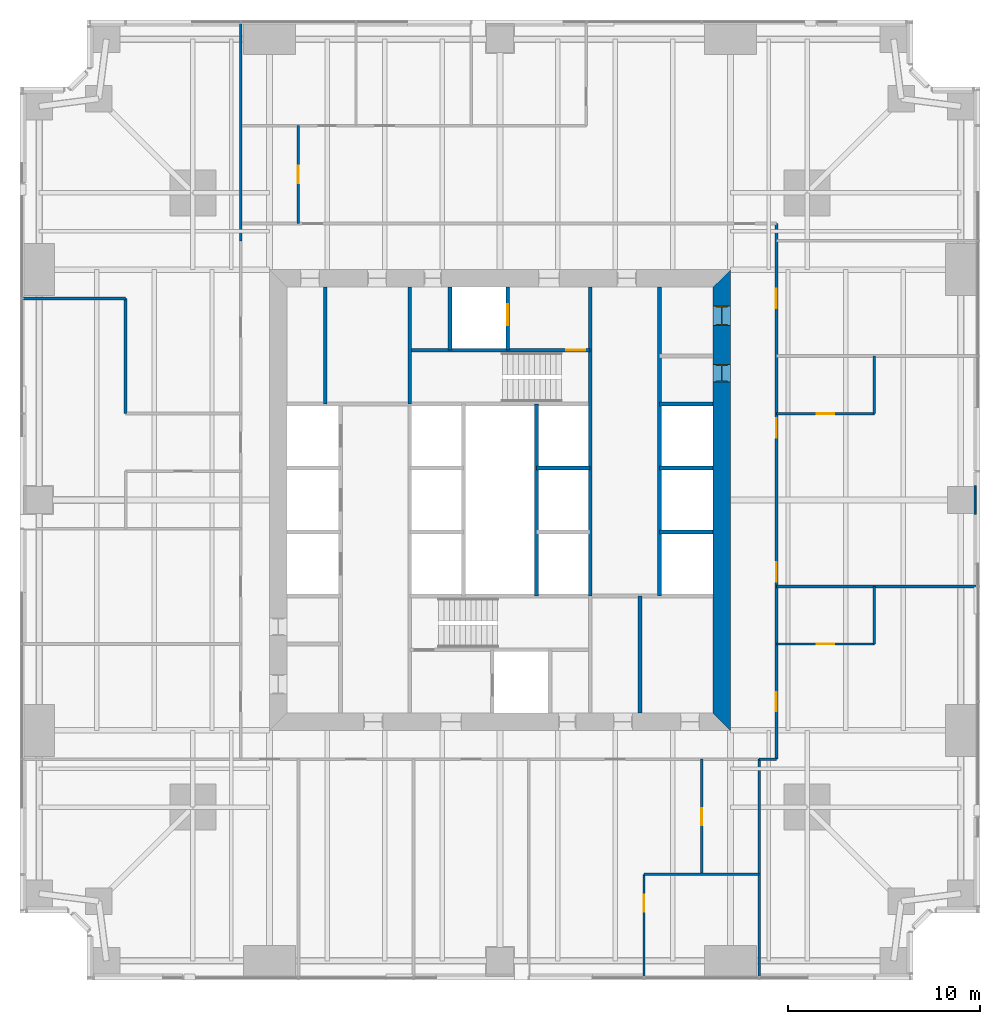
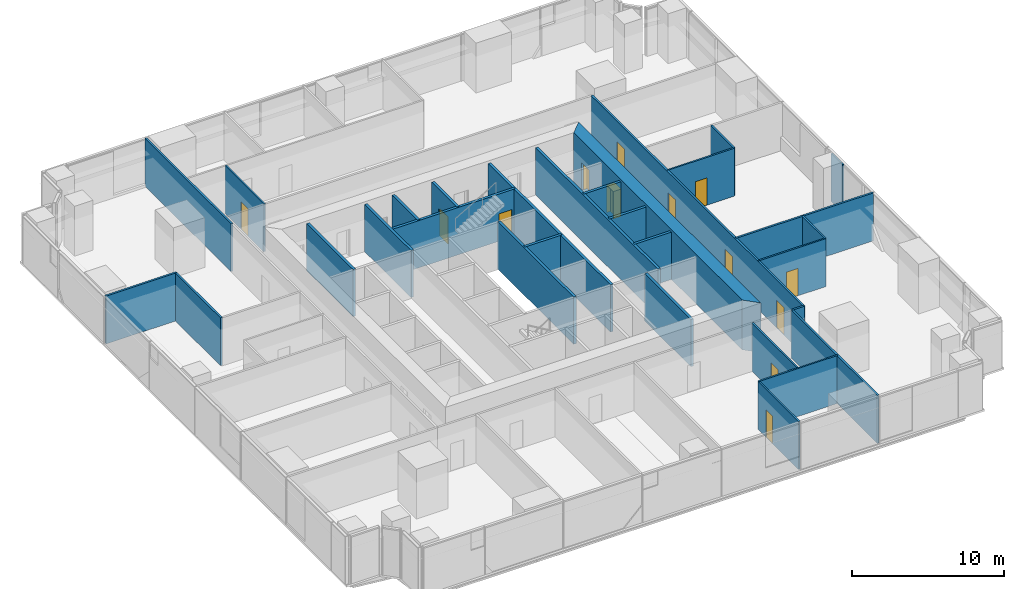
# One storey, part 10 of 13: 30 walls, 13 doors, 13 openings.
"""IFC4 building model written with IfcOpenShell, lengths in metres."""

from ifc_helpers import new_model, si_unit, direction, frame, frame_2d, origin, place, context, subcontext, project, spatial, polyline, rectangle, outline, extrude, material, layer, layer_set, type_object, element, fill, save


model = new_model("IFC4")

# Units and contexts
model_context = context("Model", 3, precision=1e-05, world=origin(), true_north=direction((0.0, 1.0)))
body_context = subcontext(model_context, "Body", "Model", "MODEL_VIEW")
ifc_project = project(units=[si_unit("LENGTHUNIT", "METRE"), si_unit("AREAUNIT", "SQUARE_METRE"), si_unit("VOLUMEUNIT", "CUBIC_METRE"), si_unit("PLANEANGLEUNIT", "RADIAN"), si_unit("MASSUNIT", "GRAM", prefix="KILO")], contexts=[model_context])

# Site, building, storey
site_placement = place(None, origin())
site = spatial("IfcSite", under=ifc_project, at=site_placement, CompositionType="ELEMENT")
building_placement = place(site_placement, origin())
building = spatial("IfcBuilding", under=site, at=building_placement, Name="Fenwick Lantern Interchange", CompositionType="ELEMENT")
storey_placement = place(building_placement, frame((0.0, 0.0, 63.0)))
storey = spatial("IfcBuildingStorey", under=building, at=storey_placement, Name="L14", CompositionType="ELEMENT", Elevation=63.0)

# Walls
ifc_material_1 = material(Name="Fire-rated gypsum board encasement on steel studs, 2 hour", Category="steel")
ifc_layer_1 = layer(ifc_material_1, 1.5)
ifc_layer_set_1 = layer_set([ifc_layer_1], Name="COLUMN PIER 1500")
wall_type_1 = type_object("IfcWallType", Name="COLUMN PIER 1500", PredefinedType="PARTITIONING", material=ifc_layer_set_1)
wall_1_placement = place(storey_placement, frame((49.800048828125, 25.0, 0.0), z_axis=(0.0, 0.0, 1.0), x_axis=(-1.0, 0.0, 0.0)))
element("IfcWall", 1, at=wall_1_placement, inside=storey, type_object=wall_type_1, Name="L14/W/PIER/CE3", PredefinedType="PARTITIONING", context=body_context, shape_type="SweptSolid", body=[
    extrude(rectangle(XDim=0.10009765625, YDim=1.5, at=frame_2d((0.050048828125, 0.0))), origin(), (0.0, 0.0, 1.0), 3.85009765625),
])
ifc_material_2 = material(Name="Concrete masonry ASTM C90 Grade N", Category="masonry")
ifc_layer_2 = layer(ifc_material_2, 0.199951171875)
ifc_layer_set_2 = layer_set([ifc_layer_2], Name="Concrete masonry ASTM C90 Grade N")
wall_type_2 = type_object("IfcWallType", Name="CORE PARTITION 200", PredefinedType="PARTITIONING", material=ifc_layer_set_2)
wall_2_placement = place(storey_placement, frame((32.300048828125, 13.89990234375, 0.0), z_axis=(0.0, 0.0, 1.0), x_axis=(0.0, 1.0, 0.0)))
element("IfcWall", 2, at=wall_2_placement, inside=storey, type_object=wall_type_2, Name="L14/W/CORES/i2", PredefinedType="PARTITIONING", context=body_context, shape_type="SweptSolid", body=[
    extrude(rectangle(XDim=6.10009765625, YDim=0.199951171875, at=frame_2d((3.050048828125, 0.0))), origin(), (0.0, 0.0, 1.0), 3.800048828125),
])
wall_3_placement = place(storey_placement, frame((33.300048828125, 36.10009765625, 0.0), z_axis=(0.0, 0.0, 1.0), x_axis=(0.0, -1.0, 0.0)))
element("IfcWall", 3, at=wall_3_placement, inside=storey, type_object=wall_type_2, Name="L14/W/COREN/a", PredefinedType="PARTITIONING", context=body_context, shape_type="SweptSolid", body=[
    extrude(rectangle(XDim=16.10009765625, YDim=0.199951171875, at=frame_2d((8.050048828125, 0.0))), origin(), (0.0, 0.0, 1.0), 3.800048828125),
])
for number, where, z_axis, x_axis, name in (
    (4, (36.10009765625, 30.0, 0.0), (0.0, 0.0, 1.0), (-1.0, 0.0, 0.0), "L14/W/COREN/c2"),
    (5, (36.10009765625, 26.666748046875, 0.0), (0.0, 0.0, 1.0), (-1.0, 0.0, 0.0), "L14/W/COREN/d1"),
    (6, (36.10009765625, 23.333251953125, 0.0), (0.0, 0.0, 1.0), (-1.0, 0.0, 0.0), "L14/W/COREN/d2"),
    (7, (29.699951171875, 26.666748046875, 0.0), (0.0, 0.0, 1.0), (-1.0, 0.0, 0.0), "L14/W/COREN/e1"),
):
    element("IfcWall", number, at=place(storey_placement, frame(where, z_axis=z_axis, x_axis=x_axis)), inside=storey, type_object=wall_type_2, Name=name, PredefinedType="PARTITIONING", context=body_context, shape_type="SweptSolid", body=[
        extrude(rectangle(XDim=2.800048828125, YDim=0.199951171875, at=frame_2d((1.39990234375, 0.0))), origin(), (0.0, 0.0, 1.0), 3.800048828125),
    ])
wall_4_placement = place(storey_placement, frame((26.89990234375, 30.0, 0.0), z_axis=(0.0, 0.0, 1.0), x_axis=(0.0, -1.0, 0.0)))
element("IfcWall", 8, at=wall_4_placement, inside=storey, type_object=wall_type_2, Name="L14/W/COREN/e3", PredefinedType="PARTITIONING", context=body_context, shape_type="SweptSolid", body=[
    extrude(rectangle(XDim=10.0, YDim=0.199951171875, at=frame_2d((5.0, 0.0))), origin(), (0.0, 0.0, 1.0), 3.800048828125),
])

# Wall, opening, door
wall_5_placement = place(storey_placement, frame((25.39990234375, 36.10009765625, 0.0), z_axis=(0.0, 0.0, 1.0), x_axis=(0.0, -1.0, 0.0)))
wall_5 = element("IfcWall", 9, at=wall_5_placement, inside=storey, type_object=wall_type_2, Name="L14/W/COREN/h1", PredefinedType="PARTITIONING", context=body_context, shape_type="SweptSolid", body=[
    extrude(rectangle(XDim=3.300048828125, YDim=0.199951171875, at=frame_2d((1.64990234375, 0.0))), origin(), (0.0, 0.0, 1.0), 3.800048828125),
])
opening_1_placement = place(wall_5_placement, frame((0.89990234375, 0.0, 0.0)))
opening_1 = element("IfcOpeningElement", 10, at=opening_1_placement, cuts=wall_5, Name="Opening LD-FL2", PredefinedType="OPENING", context=body_context, shape_type="SweptSolid", body=[
    extrude(rectangle(XDim=1.10009765625, YDim=2.199951171875, at=frame_2d((0.550048828125, 1.10009765625))), frame((0.0, 0.10986328125, 0.0), z_axis=(0.0, -1.0, 0.0), x_axis=(1.0, 0.0, 0.0)), (0.0, 0.0, 1.0), 0.219970703125),
])
ifc_material_3 = material(Name="Steel door and frame", Category="steel")
door_type_1 = type_object("IfcDoorType", Name="LIFT LANDING DOOR 1100 X 2200", OperationType="DOUBLE_DOOR_SLIDING", PredefinedType="DOOR", material=ifc_material_3)
door_1_placement = place(opening_1_placement, origin())
door_1 = element("IfcDoor", 11, at=door_1_placement, inside=storey, type_object=door_type_1, Name="Lift landing door FL2", OperationType="DOUBLE_DOOR_SLIDING", OverallHeight=2.199951171875, OverallWidth=1.10009765625, PredefinedType="DOOR", context=body_context, shape_type="SweptSolid", body=[
    extrude(rectangle(XDim=1.10009765625, YDim=2.199951171875, at=frame_2d((0.550048828125, 1.10009765625))), frame((0.0, 0.02490234375, 0.0), z_axis=(0.0, -1.0, 0.0), x_axis=(1.0, 0.0, 0.0)), (0.0, 0.0, 1.0), 0.050048828125),
])
fill(opening_1, door_1)

# Walls
wall_6_placement = place(storey_placement, frame((22.39990234375, 36.10009765625, 0.0), z_axis=(0.0, 0.0, 1.0), x_axis=(0.0, -1.0, 0.0)))
element("IfcWall", 12, at=wall_6_placement, inside=storey, type_object=wall_type_2, Name="L14/W/COREN/h2", PredefinedType="PARTITIONING", context=body_context, shape_type="SweptSolid", body=[
    extrude(rectangle(XDim=3.300048828125, YDim=0.199951171875, at=frame_2d((1.64990234375, 0.0))), origin(), (0.0, 0.0, 1.0), 3.800048828125),
])
wall_7_placement = place(storey_placement, frame((15.89990234375, 36.10009765625, 0.0), z_axis=(0.0, 0.0, 1.0), x_axis=(0.0, -1.0, 0.0)))
element("IfcWall", 13, at=wall_7_placement, inside=storey, type_object=wall_type_2, Name="L14/W/COREN/i2", PredefinedType="PARTITIONING", context=body_context, shape_type="SweptSolid", body=[
    extrude(rectangle(XDim=6.10009765625, YDim=0.199951171875, at=frame_2d((3.050048828125, 0.0))), origin(), (0.0, 0.0, 1.0), 3.800048828125),
])

# Wall, openings, doors
ifc_material_4 = material(Name="Concrete f'c 70 MPa", Category="concrete")
ifc_layer_3 = layer(ifc_material_4, 0.89990234375)
ifc_layer_set_3 = layer_set([ifc_layer_3], Name="CORE WALL 900")
wall_type_3 = type_object("IfcWallType", Name="CORE WALL 900", PredefinedType="SHEAR", material=ifc_layer_set_3)
wall_8_placement = place(storey_placement, frame((36.550048828125, 13.89990234375, 0.0), z_axis=(0.0, 0.0, 1.0), x_axis=(0.0, 1.0, 0.0)))
wall_8 = element("IfcWall", 14, at=wall_8_placement, inside=storey, type_object=wall_type_3, Name="L14/CORE/E", PredefinedType="SHEAR", context=body_context, shape_type="SweptSolid", body=[
    extrude(outline(polyline([(-0.89990234375, -0.449951171875), (23.10009765625, -0.449951171875), (22.199951171875, 0.449951171875), (0.0, 0.449951171875), (-0.89990234375, -0.449951171875)])), origin(), (0.0, 0.0, 1.0), 4.0),
])
opening_2_placement = place(wall_8_placement, frame((20.199951171875, 0.0, 0.0)))
opening_2 = element("IfcOpeningElement", 15, at=opening_2_placement, cuts=wall_8, Name="Opening L14-D015", PredefinedType="OPENING", context=body_context, shape_type="SweptSolid", body=[
    extrude(rectangle(XDim=1.0, YDim=2.199951171875, at=frame_2d((0.5, 1.10009765625))), frame((0.0, 0.4599609375, 0.0), z_axis=(0.0, -1.0, 0.0), x_axis=(1.0, 0.0, 0.0)), (0.0, 0.0, 1.0), 0.919921875),
])
opening_3_placement = place(wall_8_placement, frame((17.25, 0.0, 0.0)))
opening_3 = element("IfcOpeningElement", 16, at=opening_3_placement, cuts=wall_8, Name="Opening L14-D016", PredefinedType="OPENING", context=body_context, shape_type="SweptSolid", body=[
    extrude(rectangle(XDim=0.89990234375, YDim=2.199951171875, at=frame_2d((0.449951171875, 1.10009765625))), frame((0.0, 0.4599609375, 0.0), z_axis=(0.0, -1.0, 0.0), x_axis=(1.0, 0.0, 0.0)), (0.0, 0.0, 1.0), 0.919921875),
])
door_type_2 = type_object("IfcDoorType", Name="SERVICE DOOR 900 X 2200", OperationType="SINGLE_SWING_LEFT", PredefinedType="DOOR", material=ifc_material_3)
door_2_placement = place(opening_3_placement, origin())
door_2 = element("IfcDoor", 17, at=door_2_placement, inside=storey, type_object=door_type_2, Name="Service door", OperationType="SINGLE_SWING_RIGHT", OverallHeight=2.199951171875, OverallWidth=0.89990234375, PredefinedType="DOOR", context=body_context, shape_type="SweptSolid", body=[
    extrude(rectangle(XDim=0.89990234375, YDim=2.199951171875, at=frame_2d((0.449951171875, 1.10009765625))), frame((0.0, 0.02490234375, 0.0), z_axis=(0.0, -1.0, 0.0), x_axis=(1.0, 0.0, 0.0)), (0.0, 0.0, 1.0), 0.050048828125),
    extrude(outline(polyline([(0.0, 0.0), (0.0400390625, 0.0), (0.0400390625, 2.159912109375), (0.85986328125, 2.159912109375), (0.85986328125, 0.0), (0.89990234375, 0.0), (0.89990234375, 2.199951171875), (0.0, 2.199951171875), (0.0, 0.0)])), frame((0.0, 0.300048828125, 0.0), z_axis=(0.0, -1.0, 0.0), x_axis=(1.0, 0.0, 0.0)), (0.0, 0.0, 1.0), 0.60009765625),
])
fill(opening_3, door_2)
ifc_material_5 = material(Name="Hardwood door and steel frame", Category="steel")
door_type_3 = type_object("IfcDoorType", Name="WC DOOR 1000 X 2200", OperationType="SINGLE_SWING_LEFT", PredefinedType="DOOR", material=ifc_material_5)
door_3_placement = place(opening_2_placement, origin())
door_3 = element("IfcDoor", 18, at=door_3_placement, inside=storey, type_object=door_type_3, Name="Wc door", OperationType="SINGLE_SWING_RIGHT", OverallHeight=2.199951171875, OverallWidth=1.0, PredefinedType="DOOR", context=body_context, shape_type="SweptSolid", body=[
    extrude(rectangle(XDim=1.0, YDim=2.199951171875, at=frame_2d((0.5, 1.10009765625))), frame((0.0, 0.02490234375, 0.0), z_axis=(0.0, -1.0, 0.0), x_axis=(1.0, 0.0, 0.0)), (0.0, 0.0, 1.0), 0.050048828125),
    extrude(outline(polyline([(0.0, 0.0), (0.0400390625, 0.0), (0.0400390625, 2.159912109375), (0.9599609375, 2.159912109375), (0.9599609375, 0.0), (1.0, 0.0), (1.0, 2.199951171875), (0.0, 2.199951171875), (0.0, 0.0)])), frame((0.0, 0.300048828125, 0.0), z_axis=(0.0, -1.0, 0.0), x_axis=(1.0, 0.0, 0.0)), (0.0, 0.0, 1.0), 0.60009765625),
])
fill(opening_2, door_3)

# Wall
ifc_material_6 = material(Name="Gypsum board on steel studs, 1 hour", Category="steel")
ifc_layer_4 = layer(ifc_material_6, 0.14990234375)
ifc_layer_set_4 = layer_set([ifc_layer_4], Name="CORRIDOR WALL 150")
wall_type_4 = type_object("IfcWallType", Name="CORRIDOR WALL 150", PredefinedType="PARTITIONING", material=ifc_layer_set_4)
wall_9_placement = place(storey_placement, frame((38.5, 11.5, 0.0), z_axis=(0.0, 0.0, 1.0), x_axis=(1.0, 0.0, 0.0)))
element("IfcWall", 19, at=wall_9_placement, inside=storey, type_object=wall_type_4, Name="L14/W/OFF/E/CWJ", PredefinedType="PARTITIONING", context=body_context, shape_type="SweptSolid", body=[
    extrude(rectangle(XDim=0.89990234375, YDim=0.14990234375, at=frame_2d((0.449951171875, 0.0))), origin(), (0.0, 0.0, 1.0), 3.85009765625),
])

# Wall, openings, doors
wall_10_placement = place(storey_placement, frame((39.39990234375, 11.5, 0.0), z_axis=(0.0, 0.0, 1.0), x_axis=(0.0, 1.0, 0.0)))
wall_10 = element("IfcWall", 20, at=wall_10_placement, inside=storey, type_object=wall_type_4, Name="L14/W/OFF/E/CW2", PredefinedType="PARTITIONING", context=body_context, shape_type="SweptSolid", body=[
    extrude(rectangle(XDim=27.89990234375, YDim=0.14990234375, at=frame_2d((13.949951171875, 0.0))), origin(), (0.0, 0.0, 1.0), 3.85009765625),
])
opening_4_placement = place(wall_10_placement, frame((2.5, 0.0, 0.0)))
opening_4 = element("IfcOpeningElement", 21, at=opening_4_placement, cuts=wall_10, Name="Opening L14-D023", PredefinedType="OPENING", context=body_context, shape_type="SweptSolid", body=[
    extrude(rectangle(XDim=1.0, YDim=2.199951171875, at=frame_2d((0.5, 1.10009765625))), frame((0.0, 0.0849609375, 0.0), z_axis=(0.0, -1.0, 0.0), x_axis=(1.0, 0.0, 0.0)), (0.0, 0.0, 1.0), 0.169921875),
])
opening_5_placement = place(wall_10_placement, frame((9.25, 0.0, 0.0)))
opening_5 = element("IfcOpeningElement", 22, at=opening_5_placement, cuts=wall_10, Name="Opening L14-D025", PredefinedType="OPENING", context=body_context, shape_type="SweptSolid", body=[
    extrude(rectangle(XDim=1.0, YDim=2.199951171875, at=frame_2d((0.5, 1.10009765625))), frame((0.0, 0.0849609375, 0.0), z_axis=(0.0, -1.0, 0.0), x_axis=(1.0, 0.0, 0.0)), (0.0, 0.0, 1.0), 0.169921875),
])
opening_6_placement = place(wall_10_placement, frame((16.75, 0.0, 0.0)))
opening_6 = element("IfcOpeningElement", 23, at=opening_6_placement, cuts=wall_10, Name="Opening L14-D026", PredefinedType="OPENING", context=body_context, shape_type="SweptSolid", body=[
    extrude(rectangle(XDim=1.0, YDim=2.199951171875, at=frame_2d((0.5, 1.10009765625))), frame((0.0, 0.0849609375, 0.0), z_axis=(0.0, -1.0, 0.0), x_axis=(1.0, 0.0, 0.0)), (0.0, 0.0, 1.0), 0.169921875),
])
opening_7_placement = place(wall_10_placement, frame((23.5, 0.0, 0.0)))
opening_7 = element("IfcOpeningElement", 24, at=opening_7_placement, cuts=wall_10, Name="Opening L14-D028", PredefinedType="OPENING", context=body_context, shape_type="SweptSolid", body=[
    extrude(rectangle(XDim=1.0, YDim=2.199951171875, at=frame_2d((0.5, 1.10009765625))), frame((0.0, 0.0849609375, 0.0), z_axis=(0.0, -1.0, 0.0), x_axis=(1.0, 0.0, 0.0)), (0.0, 0.0, 1.0), 0.169921875),
])
door_type_4 = type_object("IfcDoorType", Name="SUITE ENTRANCE DOOR 1000 X 2200", OperationType="SINGLE_SWING_LEFT", PredefinedType="DOOR", material=ifc_material_3)
door_4_placement = place(opening_4_placement, frame((1.0, 0.0, 0.0), z_axis=(0.0, 0.0, 1.0), x_axis=(-1.0, 0.0, 0.0)))
door_4 = element("IfcDoor", 25, at=door_4_placement, inside=storey, type_object=door_type_4, Name="Suite entrance door", OperationType="SINGLE_SWING_LEFT", OverallHeight=2.199951171875, OverallWidth=1.0, PredefinedType="DOOR", context=body_context, shape_type="SweptSolid", body=[
    extrude(rectangle(XDim=1.0, YDim=2.199951171875, at=frame_2d((0.5, 1.10009765625))), frame((0.0, 0.02490234375, 0.0), z_axis=(0.0, -1.0, 0.0), x_axis=(1.0, 0.0, 0.0)), (0.0, 0.0, 1.0), 0.050048828125),
])
fill(opening_4, door_4)
door_5_placement = place(opening_5_placement, origin())
door_5 = element("IfcDoor", 26, at=door_5_placement, inside=storey, type_object=door_type_4, Name="Suite entrance door", OperationType="SINGLE_SWING_LEFT", OverallHeight=2.199951171875, OverallWidth=1.0, PredefinedType="DOOR", context=body_context, shape_type="SweptSolid", body=[
    extrude(rectangle(XDim=1.0, YDim=2.199951171875, at=frame_2d((0.5, 1.10009765625))), frame((0.0, 0.02490234375, 0.0), z_axis=(0.0, -1.0, 0.0), x_axis=(1.0, 0.0, 0.0)), (0.0, 0.0, 1.0), 0.050048828125),
])
fill(opening_5, door_5)
door_6_placement = place(opening_6_placement, origin())
door_6 = element("IfcDoor", 27, at=door_6_placement, inside=storey, type_object=door_type_4, Name="Suite entrance door", OperationType="SINGLE_SWING_RIGHT", OverallHeight=2.199951171875, OverallWidth=1.0, PredefinedType="DOOR", context=body_context, shape_type="SweptSolid", body=[
    extrude(rectangle(XDim=1.0, YDim=2.199951171875, at=frame_2d((0.5, 1.10009765625))), frame((0.0, 0.02490234375, 0.0), z_axis=(0.0, -1.0, 0.0), x_axis=(1.0, 0.0, 0.0)), (0.0, 0.0, 1.0), 0.050048828125),
])
fill(opening_6, door_6)
door_7_placement = place(opening_7_placement, frame((1.0, 0.0, 0.0), z_axis=(0.0, 0.0, 1.0), x_axis=(-1.0, 0.0, 0.0)))
door_7 = element("IfcDoor", 28, at=door_7_placement, inside=storey, type_object=door_type_4, Name="Suite entrance door", OperationType="SINGLE_SWING_RIGHT", OverallHeight=2.199951171875, OverallWidth=1.0, PredefinedType="DOOR", context=body_context, shape_type="SweptSolid", body=[
    extrude(rectangle(XDim=1.0, YDim=2.199951171875, at=frame_2d((0.5, 1.10009765625))), frame((0.0, 0.02490234375, 0.0), z_axis=(0.0, -1.0, 0.0), x_axis=(1.0, 0.0, 0.0)), (0.0, 0.0, 1.0), 0.050048828125),
])
fill(opening_7, door_7)

# Wall, opening, door
ifc_material_7 = material(Name="Gypsum board on steel studs, acoustic", Category="steel")
ifc_layer_5 = layer(ifc_material_7, 0.125)
ifc_layer_set_5 = layer_set([ifc_layer_5], Name="OFFICE PARTITION 125")
wall_type_5 = type_object("IfcWallType", Name="OFFICE PARTITION 125", PredefinedType="PARTITIONING", material=ifc_layer_set_5)
wall_11_placement = place(storey_placement, frame((32.5, 0.14990234375, 0.0), z_axis=(0.0, 0.0, 1.0), x_axis=(0.0, 1.0, 0.0)))
wall_11 = element("IfcWall", 29, at=wall_11_placement, inside=storey, type_object=wall_type_5, Name="L14/W/OFF/S/X325-1", PredefinedType="PARTITIONING", context=body_context, shape_type="SweptSolid", body=[
    extrude(rectangle(XDim=5.35009765625, YDim=0.125, at=frame_2d((2.675048828125, 0.0))), origin(), (0.0, 0.0, 1.0), 3.85009765625),
])
opening_8_placement = place(wall_11_placement, frame((3.39990234375, 0.0, 0.0)))
opening_8 = element("IfcOpeningElement", 30, at=opening_8_placement, cuts=wall_11, Name="Opening L14-D021", PredefinedType="OPENING", context=body_context, shape_type="SweptSolid", body=[
    extrude(rectangle(XDim=0.89990234375, YDim=2.199951171875, at=frame_2d((0.449951171875, 1.10009765625))), frame((0.0, 0.072509765625, 0.0), z_axis=(0.0, -1.0, 0.0), x_axis=(1.0, 0.0, 0.0)), (0.0, 0.0, 1.0), 0.14501953125),
])
door_type_5 = type_object("IfcDoorType", Name="OFFICE DOOR 900 X 2200", OperationType="SINGLE_SWING_LEFT", PredefinedType="DOOR", material=ifc_material_5)
door_8_placement = place(opening_8_placement, frame((0.89990234375, 0.0, 0.0), z_axis=(0.0, 0.0, 1.0), x_axis=(-1.0, 0.0, 0.0)))
door_8 = element("IfcDoor", 31, at=door_8_placement, inside=storey, type_object=door_type_5, Name="Office door", OperationType="SINGLE_SWING_LEFT", OverallHeight=2.199951171875, OverallWidth=0.89990234375, PredefinedType="DOOR", context=body_context, shape_type="SweptSolid", body=[
    extrude(rectangle(XDim=0.89990234375, YDim=2.199951171875, at=frame_2d((0.449951171875, 1.10009765625))), frame((0.0, 0.02490234375, 0.0), z_axis=(0.0, -1.0, 0.0), x_axis=(1.0, 0.0, 0.0)), (0.0, 0.0, 1.0), 0.050048828125),
])
fill(opening_8, door_8)

wall_12_placement = place(storey_placement, frame((35.5, 5.5, 0.0), z_axis=(0.0, 0.0, 1.0), x_axis=(0.0, 1.0, 0.0)))
wall_12 = element("IfcWall", 32, at=wall_12_placement, inside=storey, type_object=wall_type_5, Name="L14/W/OFF/S/X355-1", PredefinedType="PARTITIONING", context=body_context, shape_type="SweptSolid", body=[
    extrude(rectangle(XDim=6.0, YDim=0.125, at=frame_2d((3.0, 0.0))), origin(), (0.0, 0.0, 1.0), 3.85009765625),
])
opening_9_placement = place(wall_12_placement, frame((2.550048828125, 0.0, 0.0)))
opening_9 = element("IfcOpeningElement", 33, at=opening_9_placement, cuts=wall_12, Name="Opening L14-D022", PredefinedType="OPENING", context=body_context, shape_type="SweptSolid", body=[
    extrude(rectangle(XDim=0.89990234375, YDim=2.199951171875, at=frame_2d((0.449951171875, 1.10009765625))), frame((0.0, 0.072509765625, 0.0), z_axis=(0.0, -1.0, 0.0), x_axis=(1.0, 0.0, 0.0)), (0.0, 0.0, 1.0), 0.14501953125),
])
door_9_placement = place(opening_9_placement, frame((0.89990234375, 0.0, 0.0), z_axis=(0.0, 0.0, 1.0), x_axis=(-1.0, 0.0, 0.0)))
door_9 = element("IfcDoor", 34, at=door_9_placement, inside=storey, type_object=door_type_5, Name="Office door", OperationType="SINGLE_SWING_RIGHT", OverallHeight=2.199951171875, OverallWidth=0.89990234375, PredefinedType="DOOR", context=body_context, shape_type="SweptSolid", body=[
    extrude(rectangle(XDim=0.89990234375, YDim=2.199951171875, at=frame_2d((0.449951171875, 1.10009765625))), frame((0.0, 0.02490234375, 0.0), z_axis=(0.0, -1.0, 0.0), x_axis=(1.0, 0.0, 0.0)), (0.0, 0.0, 1.0), 0.050048828125),
])
fill(opening_9, door_9)

# Wall
wall_13_placement = place(storey_placement, frame((32.5, 5.5, 0.0), z_axis=(0.0, 0.0, 1.0), x_axis=(1.0, 0.0, 0.0)))
element("IfcWall", 35, at=wall_13_placement, inside=storey, type_object=wall_type_5, Name="L14/W/OFF/S/Y55-1", PredefinedType="PARTITIONING", context=body_context, shape_type="SweptSolid", body=[
    extrude(rectangle(XDim=6.0, YDim=0.125, at=frame_2d((3.0, 0.0))), origin(), (0.0, 0.0, 1.0), 3.85009765625),
])

# Wall, opening, door
wall_14_placement = place(storey_placement, frame((44.5, 17.5, 0.0), z_axis=(0.0, 0.0, 1.0), x_axis=(-1.0, 0.0, 0.0)))
wall_14 = element("IfcWall", 36, at=wall_14_placement, inside=storey, type_object=wall_type_5, Name="L14/W/OFF/E/X175-1", PredefinedType="PARTITIONING", context=body_context, shape_type="SweptSolid", body=[
    extrude(rectangle(XDim=5.10009765625, YDim=0.125, at=frame_2d((2.550048828125, 0.0))), origin(), (0.0, 0.0, 1.0), 3.85009765625),
])
opening_10_placement = place(wall_14_placement, frame((2.10009765625, 0.0, 0.0)))
opening_10 = element("IfcOpeningElement", 37, at=opening_10_placement, cuts=wall_14, Name="Opening L14-D024", PredefinedType="OPENING", context=body_context, shape_type="SweptSolid", body=[
    extrude(rectangle(XDim=0.89990234375, YDim=2.199951171875, at=frame_2d((0.449951171875, 1.10009765625))), frame((0.0, 0.072509765625, 0.0), z_axis=(0.0, -1.0, 0.0), x_axis=(1.0, 0.0, 0.0)), (0.0, 0.0, 1.0), 0.14501953125),
])
door_10_placement = place(opening_10_placement, frame((0.89990234375, 0.0, 0.0), z_axis=(0.0, 0.0, 1.0), x_axis=(-1.0, 0.0, 0.0)))
door_10 = element("IfcDoor", 38, at=door_10_placement, inside=storey, type_object=door_type_5, Name="Office door", OperationType="SINGLE_SWING_RIGHT", OverallHeight=2.199951171875, OverallWidth=0.89990234375, PredefinedType="DOOR", context=body_context, shape_type="SweptSolid", body=[
    extrude(rectangle(XDim=0.89990234375, YDim=2.199951171875, at=frame_2d((0.449951171875, 1.10009765625))), frame((0.0, 0.02490234375, 0.0), z_axis=(0.0, -1.0, 0.0), x_axis=(1.0, 0.0, 0.0)), (0.0, 0.0, 1.0), 0.050048828125),
])
fill(opening_10, door_10)

wall_15_placement = place(storey_placement, frame((44.5, 29.5, 0.0), z_axis=(0.0, 0.0, 1.0), x_axis=(-1.0, 0.0, 0.0)))
wall_15 = element("IfcWall", 39, at=wall_15_placement, inside=storey, type_object=wall_type_5, Name="L14/W/OFF/E/X295-1", PredefinedType="PARTITIONING", context=body_context, shape_type="SweptSolid", body=[
    extrude(rectangle(XDim=5.10009765625, YDim=0.125, at=frame_2d((2.550048828125, 0.0))), origin(), (0.0, 0.0, 1.0), 3.85009765625),
])
opening_11_placement = place(wall_15_placement, frame((2.10009765625, 0.0, 0.0)))
opening_11 = element("IfcOpeningElement", 40, at=opening_11_placement, cuts=wall_15, Name="Opening L14-D027", PredefinedType="OPENING", context=body_context, shape_type="SweptSolid", body=[
    extrude(rectangle(XDim=0.89990234375, YDim=2.199951171875, at=frame_2d((0.449951171875, 1.10009765625))), frame((0.0, 0.072509765625, 0.0), z_axis=(0.0, -1.0, 0.0), x_axis=(1.0, 0.0, 0.0)), (0.0, 0.0, 1.0), 0.14501953125),
])
door_11_placement = place(opening_11_placement, frame((0.89990234375, 0.0, 0.0), z_axis=(0.0, 0.0, 1.0), x_axis=(-1.0, 0.0, 0.0)))
door_11 = element("IfcDoor", 41, at=door_11_placement, inside=storey, type_object=door_type_5, Name="Office door", OperationType="SINGLE_SWING_RIGHT", OverallHeight=2.199951171875, OverallWidth=0.89990234375, PredefinedType="DOOR", context=body_context, shape_type="SweptSolid", body=[
    extrude(rectangle(XDim=0.89990234375, YDim=2.199951171875, at=frame_2d((0.449951171875, 1.10009765625))), frame((0.0, 0.02490234375, 0.0), z_axis=(0.0, -1.0, 0.0), x_axis=(1.0, 0.0, 0.0)), (0.0, 0.0, 1.0), 0.050048828125),
])
fill(opening_11, door_11)

# Walls
for number, where, z_axis, x_axis, name in (
    (42, (44.5, 17.5, 0.0), (0.0, 0.0, 1.0), (0.0, 1.0, 0.0), "L14/W/OFF/E/Y55-1"),
    (43, (44.5, 29.5, 0.0), (0.0, 0.0, 1.0), (0.0, 1.0, 0.0), "L14/W/OFF/E/Y55-2"),
):
    element("IfcWall", number, at=place(storey_placement, frame(where, z_axis=z_axis, x_axis=x_axis)), inside=storey, type_object=wall_type_5, Name=name, PredefinedType="PARTITIONING", context=body_context, shape_type="SweptSolid", body=[
        extrude(rectangle(XDim=3.0, YDim=0.125, at=frame_2d((1.5, 0.0))), origin(), (0.0, 0.0, 1.0), 3.85009765625),
    ])

# Wall, opening, door
wall_16_placement = place(storey_placement, frame((14.5, 44.5, 0.0), z_axis=(0.0, 0.0, 1.0), x_axis=(0.0, -1.0, 0.0)))
wall_16 = element("IfcWall", 44, at=wall_16_placement, inside=storey, type_object=wall_type_5, Name="L14/W/OFF/N/X355-1", PredefinedType="PARTITIONING", context=body_context, shape_type="SweptSolid", body=[
    extrude(rectangle(XDim=5.10009765625, YDim=0.125, at=frame_2d((2.550048828125, 0.0))), origin(), (0.0, 0.0, 1.0), 3.85009765625),
])
opening_12_placement = place(wall_16_placement, frame((2.10009765625, 0.0, 0.0)))
opening_12 = element("IfcOpeningElement", 45, at=opening_12_placement, cuts=wall_16, Name="Opening L14-D034", PredefinedType="OPENING", context=body_context, shape_type="SweptSolid", body=[
    extrude(rectangle(XDim=0.89990234375, YDim=2.199951171875, at=frame_2d((0.449951171875, 1.10009765625))), frame((0.0, 0.072509765625, 0.0), z_axis=(0.0, -1.0, 0.0), x_axis=(1.0, 0.0, 0.0)), (0.0, 0.0, 1.0), 0.14501953125),
])
door_12_placement = place(opening_12_placement, frame((0.89990234375, 0.0, 0.0), z_axis=(0.0, 0.0, 1.0), x_axis=(-1.0, 0.0, 0.0)))
door_12 = element("IfcDoor", 46, at=door_12_placement, inside=storey, type_object=door_type_5, Name="Office door", OperationType="SINGLE_SWING_RIGHT", OverallHeight=2.199951171875, OverallWidth=0.89990234375, PredefinedType="DOOR", context=body_context, shape_type="SweptSolid", body=[
    extrude(rectangle(XDim=0.89990234375, YDim=2.199951171875, at=frame_2d((0.449951171875, 1.10009765625))), frame((0.0, 0.02490234375, 0.0), z_axis=(0.0, -1.0, 0.0), x_axis=(1.0, 0.0, 0.0)), (0.0, 0.0, 1.0), 0.050048828125),
])
fill(opening_12, door_12)

# Wall
ifc_material_8 = material(Name="Concrete f'c 45 MPa", Category="concrete")
ifc_layer_6 = layer(ifc_material_8, 0.199951171875)
ifc_layer_set_6 = layer_set([ifc_layer_6], Name="STAIR CORE WALL 200")
wall_type_6 = type_object("IfcWallType", Name="STAIR CORE WALL 200", PredefinedType="SOLIDWALL", material=ifc_layer_set_6)
wall_17_placement = place(storey_placement, frame((29.699951171875, 36.10009765625, 0.0), z_axis=(0.0, 0.0, 1.0), x_axis=(0.0, -1.0, 0.0)))
element("IfcWall", 47, at=wall_17_placement, inside=storey, type_object=wall_type_6, Name="L14/W/COREN/b", PredefinedType="SOLIDWALL", context=body_context, shape_type="SweptSolid", body=[
    extrude(rectangle(XDim=16.10009765625, YDim=0.199951171875, at=frame_2d((8.050048828125, 0.0))), origin(), (0.0, 0.0, 1.0), 3.800048828125),
])

# Wall, opening, door
wall_18_placement = place(storey_placement, frame((29.699951171875, 32.800048828125, 0.0), z_axis=(0.0, 0.0, 1.0), x_axis=(-1.0, 0.0, 0.0)))
wall_18 = element("IfcWall", 48, at=wall_18_placement, inside=storey, type_object=wall_type_6, Name="L14/W/COREN/g1", PredefinedType="SOLIDWALL", context=body_context, shape_type="SweptSolid", body=[
    extrude(rectangle(XDim=9.39990234375, YDim=0.199951171875, at=frame_2d((4.699951171875, 0.0))), origin(), (0.0, 0.0, 1.0), 3.800048828125),
])
opening_13_placement = place(wall_18_placement, frame((0.25, 0.0, 0.0)))
opening_13 = element("IfcOpeningElement", 49, at=opening_13_placement, cuts=wall_18, Name="Opening L14-D011", PredefinedType="OPENING", context=body_context, shape_type="SweptSolid", body=[
    extrude(rectangle(XDim=1.0, YDim=2.199951171875, at=frame_2d((0.5, 1.10009765625))), frame((0.0, 0.10986328125, 0.0), z_axis=(0.0, -1.0, 0.0), x_axis=(1.0, 0.0, 0.0)), (0.0, 0.0, 1.0), 0.219970703125),
])
door_type_6 = type_object("IfcDoorType", Name="STAIR DOOR 1000 X 2200", OperationType="SINGLE_SWING_LEFT", PredefinedType="DOOR", material=ifc_material_3)
door_13_placement = place(opening_13_placement, origin())
door_13 = element("IfcDoor", 50, at=door_13_placement, inside=storey, type_object=door_type_6, Name="Stair door", OperationType="SINGLE_SWING_LEFT", OverallHeight=2.199951171875, OverallWidth=1.0, PredefinedType="DOOR", context=body_context, shape_type="SweptSolid", body=[
    extrude(rectangle(XDim=1.0, YDim=2.199951171875, at=frame_2d((0.5, 1.10009765625))), frame((0.0, 0.02490234375, 0.0), z_axis=(0.0, -1.0, 0.0), x_axis=(1.0, 0.0, 0.0)), (0.0, 0.0, 1.0), 0.050048828125),
])
fill(opening_13, door_13)

# Walls
wall_19_placement = place(storey_placement, frame((20.300048828125, 36.10009765625, 0.0), z_axis=(0.0, 0.0, 1.0), x_axis=(0.0, -1.0, 0.0)))
element("IfcWall", 51, at=wall_19_placement, inside=storey, type_object=wall_type_6, Name="L14/W/COREN/i1", PredefinedType="SOLIDWALL", context=body_context, shape_type="SweptSolid", body=[
    extrude(rectangle(XDim=6.10009765625, YDim=0.199951171875, at=frame_2d((3.050048828125, 0.0))), origin(), (0.0, 0.0, 1.0), 3.800048828125),
])
ifc_material_9 = material(Name="Gypsum board on steel studs, 1 hour acoustic", Category="steel")
ifc_layer_7 = layer(ifc_material_9, 0.14990234375)
ifc_layer_set_7 = layer_set([ifc_layer_7], Name="TENANT WALL 150")
wall_type_7 = type_object("IfcWallType", Name="TENANT WALL 150", PredefinedType="PARTITIONING", material=ifc_layer_set_7)
wall_20_placement = place(storey_placement, frame((38.5, 0.14990234375, 0.0), z_axis=(0.0, 0.0, 1.0), x_axis=(0.0, 1.0, 0.0)))
element("IfcWall", 52, at=wall_20_placement, inside=storey, type_object=wall_type_7, Name="L14/W/OFF/E/BACK", PredefinedType="PARTITIONING", context=body_context, shape_type="SweptSolid", body=[
    extrude(rectangle(XDim=11.35009765625, YDim=0.14990234375, at=frame_2d((5.675048828125, 0.0))), origin(), (0.0, 0.0, 1.0), 3.85009765625),
])
wall_21_placement = place(storey_placement, frame((49.85009765625, 20.5, 0.0), z_axis=(0.0, 0.0, 1.0), x_axis=(-1.0, 0.0, 0.0)))
element("IfcWall", 53, at=wall_21_placement, inside=storey, type_object=wall_type_7, Name="L14/W/OFF/E/X205-1", PredefinedType="PARTITIONING", context=body_context, shape_type="SweptSolid", body=[
    extrude(rectangle(XDim=10.4501953125, YDim=0.14990234375, at=frame_2d((5.22509765625, 0.0))), origin(), (0.0, 0.0, 1.0), 3.85009765625),
])
wall_22_placement = place(storey_placement, frame((11.5, 49.85009765625, 0.0), z_axis=(0.0, 0.0, 1.0), x_axis=(0.0, -1.0, 0.0)))
element("IfcWall", 54, at=wall_22_placement, inside=storey, type_object=wall_type_7, Name="L14/W/OFF/W/BACK", PredefinedType="PARTITIONING", context=body_context, shape_type="SweptSolid", body=[
    extrude(rectangle(XDim=11.35009765625, YDim=0.14990234375, at=frame_2d((5.675048828125, 0.0))), origin(), (0.0, 0.0, 1.0), 3.85009765625),
])
wall_23_placement = place(storey_placement, frame((0.14990234375, 35.5, 0.0), z_axis=(0.0, 0.0, 1.0), x_axis=(1.0, 0.0, 0.0)))
element("IfcWall", 55, at=wall_23_placement, inside=storey, type_object=wall_type_7, Name="L14/W/OFF/W/X145-1", PredefinedType="PARTITIONING", context=body_context, shape_type="SweptSolid", body=[
    extrude(rectangle(XDim=5.35009765625, YDim=0.14990234375, at=frame_2d((2.675048828125, 0.0))), origin(), (0.0, 0.0, 1.0), 3.85009765625),
])
wall_24_placement = place(storey_placement, frame((5.5, 35.5, 0.0), z_axis=(0.0, 0.0, 1.0), x_axis=(0.0, -1.0, 0.0)))
element("IfcWall", 56, at=wall_24_placement, inside=storey, type_object=wall_type_7, Name="L14/W/OFF/W/Y55-1", PredefinedType="PARTITIONING", context=body_context, shape_type="SweptSolid", body=[
    extrude(rectangle(XDim=6.0, YDim=0.14990234375, at=frame_2d((3.0, 0.0))), origin(), (0.0, 0.0, 1.0), 3.85009765625),
])

save(model, "model.ifc")
